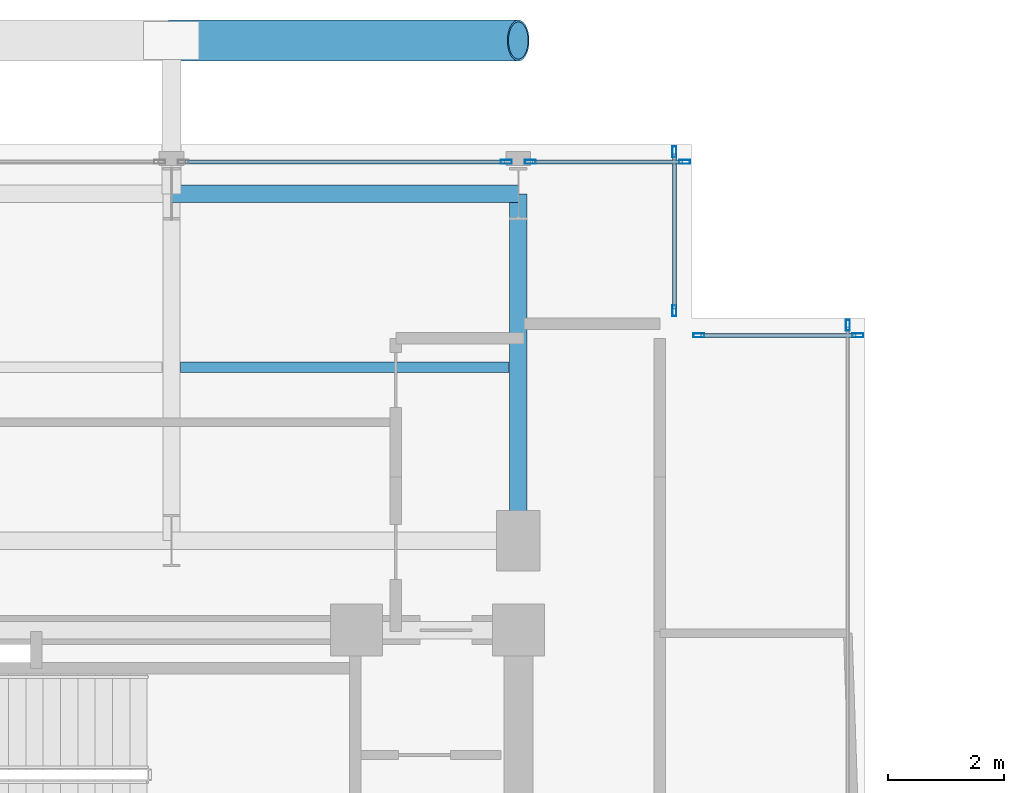
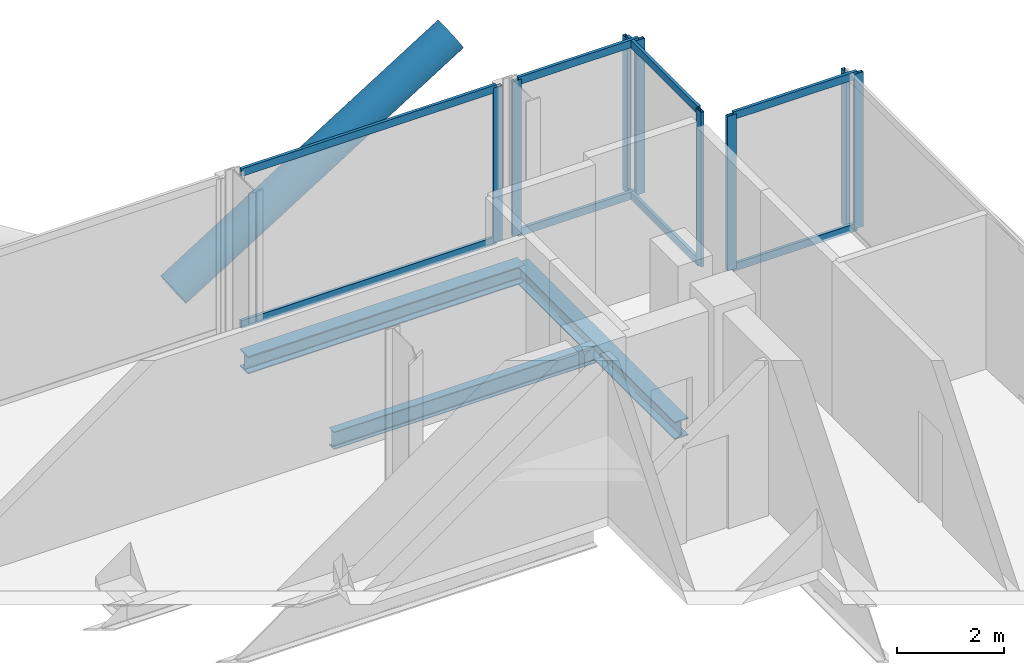
# One storey, part 14 of 21: 17 members, 3 beams, 5 elements without a shape of their own.
"""IFC4 building model written with IfcOpenShell, lengths in metres."""

from ifc_helpers import new_model, si_unit, direction, frame, origin, origin_2d, place, context, subcontext, project, spatial, hollow_rectangle, hollow_circle, i_section, extrude, material, layer, layer_set, material_profile, profile_set, type_object, element, aggregate, save


model = new_model("IFC4")

# Units and contexts
model_context = context("Model", 3, precision=1e-05, world=origin(), true_north=direction((0.0, 1.0)))
body_context = subcontext(model_context, "Body", "Model", "MODEL_VIEW")
ifc_project = project(units=[si_unit("LENGTHUNIT", "METRE"), si_unit("AREAUNIT", "SQUARE_METRE"), si_unit("VOLUMEUNIT", "CUBIC_METRE"), si_unit("PLANEANGLEUNIT", "RADIAN"), si_unit("MASSUNIT", "GRAM", prefix="KILO"), si_unit("THERMODYNAMICTEMPERATUREUNIT", "KELVIN"), si_unit("POWERUNIT", "WATT")], contexts=[model_context])

# Site, building, storey
site_placement = place(None, origin())
site = spatial("IfcSite", under=ifc_project, at=site_placement, CompositionType="ELEMENT")
building_placement = place(site_placement, origin())
building = spatial("IfcBuilding", under=site, at=building_placement, Name="Svarakhadi Broadcast Tower", CompositionType="ELEMENT")
storey_placement = place(building_placement, frame((0.0, 0.0, 223.64990234375)))
storey = spatial("IfcBuildingStorey", under=building, at=storey_placement, Name="L55", CompositionType="ELEMENT", Elevation=223.64990234375)

# Beam
ifc_material_1 = material(Name="Steel S355J2 (IS 2062 E350C)", Category="steel")
ifc_material_profile_1 = material_profile(ifc_material_1, i_section(OverallWidth=0.179931640625, OverallDepth=0.39990234375, WebThickness=0.008544921875, FlangeThickness=0.013427734375, FilletRadius=0.02099609375, at=origin_2d()), Name="NPB 400x180x66")
ifc_profile_set_1 = profile_set([ifc_material_profile_1], Name="Steel S355J2 (IS 2062 E350C)")
beam_type_1 = type_object("IfcBeamType", Name="Beam_NPB400", PredefinedType="BEAM", material=ifc_profile_set_1)
beam_placement = place(storey_placement, frame((12.159912109375, 32.14990234375, -0.409912109375), z_axis=(1.0, 0.0, 0.0), x_axis=(0.0, 1.0, 0.0)))
element("IfcBeam", 1, at=beam_placement, inside=storey, type_object=beam_type_1, Name="L55 Secondary Composite Beam SB012", PredefinedType="BEAM", context=body_context, shape_type="SweptSolid", body=[
    extrude(i_section(OverallWidth=0.179931640625, OverallDepth=0.39990234375, WebThickness=0.008544921875, FlangeThickness=0.013427734375, FilletRadius=0.02099609375, at=origin_2d()), origin(), (0.0, 0.0, 1.0), 5.68017578125),
])

# Curtain wall, member
ifc_material_2 = material(Name="Anodised Bronze Aluminium AA 6063-T6", Category="aluminium")
ifc_layer = layer(ifc_material_2, 0.18994140625)
ifc_layer_set = layer_set([ifc_layer], Name="Anodised Bronze Aluminium AA 6063-T6")
curtain_wall_type = type_object("IfcCurtainWallType", Name="CW_Sys_04", PredefinedType="NOTDEFINED", material=ifc_layer_set)
curtain_wall_1_placement = place(storey_placement, origin())
curtain_wall_1 = element("IfcCurtainWall", 2, at=curtain_wall_1_placement, inside=storey, type_object=curtain_wall_type, Name="L55 Unitised Facade Curtain Wall 06 Bay 2", PredefinedType="NOTDEFINED")
ifc_material_profile_2 = material_profile(ifc_material_2, hollow_rectangle(XDim=0.070068359375, YDim=0.18994140625, WallThickness=0.005615234375, at=origin_2d()), Name="ALU MULLION 190x70x6")
ifc_profile_set_2 = profile_set([ifc_material_profile_2], Name="Anodised Bronze Aluminium AA 6063-T6")
member_type_1 = type_object("IfcMemberType", Name="CW_Sys_04_Mul", PredefinedType="MULLION", material=ifc_profile_set_2)
member_1_placement = place(storey_placement, frame((17.794921875, 35.699951171875, 0.0), z_axis=(0.0, 0.0, 1.0), x_axis=(0.0, 1.0, 0.0)))
member_1 = element("IfcMember", 3, at=member_1_placement, type_object=member_type_1, Name="CW-04 mullion 2", PredefinedType="MULLION", context=body_context, shape_type="SweptSolid", body=[
    extrude(hollow_rectangle(XDim=0.070068359375, YDim=0.18994140625, WallThickness=0.005615234375, at=origin_2d()), origin(), (0.0, 0.0, 1.0), 3.5400390625),
])

# Curtain wall, members
curtain_wall_2_placement = place(storey_placement, origin())
curtain_wall_2 = element("IfcCurtainWall", 4, at=curtain_wall_2_placement, inside=storey, type_object=curtain_wall_type, Name="L55 Unitised Facade Curtain Wall 06 Bay 3", PredefinedType="NOTDEFINED")
member_2_placement = place(storey_placement, frame((18.205078125, 35.699951171875, 0.0), z_axis=(0.0, 0.0, 1.0), x_axis=(0.0, 1.0, 0.0)))
member_2 = element("IfcMember", 5, at=member_2_placement, type_object=member_type_1, Name="CW-04 mullion 1", PredefinedType="MULLION", context=body_context, shape_type="SweptSolid", body=[
    extrude(hollow_rectangle(XDim=0.070068359375, YDim=0.18994140625, WallThickness=0.005615234375, at=origin_2d()), origin(), (0.0, 0.0, 1.0), 3.5400390625),
])
member_3_placement = place(storey_placement, frame((20.875, 35.699951171875, 0.0), z_axis=(0.0, 0.0, 1.0), x_axis=(0.0, 1.0, 0.0)))
member_3 = element("IfcMember", 6, at=member_3_placement, type_object=member_type_1, Name="CW-04 mullion 2", PredefinedType="MULLION", context=body_context, shape_type="SweptSolid", body=[
    extrude(hollow_rectangle(XDim=0.070068359375, YDim=0.18994140625, WallThickness=0.005615234375, at=origin_2d()), origin(), (0.0, 0.0, 1.0), 3.5400390625),
])

curtain_wall_3_placement = place(storey_placement, origin())
curtain_wall_3 = element("IfcCurtainWall", 7, at=curtain_wall_3_placement, inside=storey, type_object=curtain_wall_type, Name="L55 Unitised Facade Curtain Wall 07", PredefinedType="NOTDEFINED")
member_4_placement = place(storey_placement, frame((20.699951171875, 35.875, 0.0), z_axis=(0.0, 0.0, 1.0), x_axis=(1.0, 0.0, 0.0)))
member_4 = element("IfcMember", 8, at=member_4_placement, type_object=member_type_1, Name="CW-04 mullion 1", PredefinedType="MULLION", context=body_context, shape_type="SweptSolid", body=[
    extrude(hollow_rectangle(XDim=0.070068359375, YDim=0.18994140625, WallThickness=0.005615234375, at=origin_2d()), origin(), (0.0, 0.0, 1.0), 3.5400390625),
])
member_5_placement = place(storey_placement, frame((20.699951171875, 33.125, 0.0), z_axis=(0.0, 0.0, 1.0), x_axis=(1.0, 0.0, 0.0)))
member_5 = element("IfcMember", 9, at=member_5_placement, type_object=member_type_1, Name="CW-04 mullion 2", PredefinedType="MULLION", context=body_context, shape_type="SweptSolid", body=[
    extrude(hollow_rectangle(XDim=0.070068359375, YDim=0.18994140625, WallThickness=0.005615234375, at=origin_2d()), origin(), (0.0, 0.0, 1.0), 3.5400390625),
])

curtain_wall_4_placement = place(storey_placement, origin())
curtain_wall_4 = element("IfcCurtainWall", 10, at=curtain_wall_4_placement, inside=storey, type_object=curtain_wall_type, Name="L55 Unitised Facade Curtain Wall 08", PredefinedType="NOTDEFINED")
member_6_placement = place(storey_placement, frame((21.125, 32.699951171875, 0.0), z_axis=(0.0, 0.0, 1.0), x_axis=(0.0, 1.0, 0.0)))
member_6 = element("IfcMember", 11, at=member_6_placement, type_object=member_type_1, Name="CW-04 mullion 1", PredefinedType="MULLION", context=body_context, shape_type="SweptSolid", body=[
    extrude(hollow_rectangle(XDim=0.070068359375, YDim=0.18994140625, WallThickness=0.005615234375, at=origin_2d()), origin(), (0.0, 0.0, 1.0), 3.5400390625),
])
member_7_placement = place(storey_placement, frame((23.875, 32.699951171875, 0.0), z_axis=(0.0, 0.0, 1.0), x_axis=(0.0, 1.0, 0.0)))
member_7 = element("IfcMember", 12, at=member_7_placement, type_object=member_type_1, Name="CW-04 mullion 2", PredefinedType="MULLION", context=body_context, shape_type="SweptSolid", body=[
    extrude(hollow_rectangle(XDim=0.070068359375, YDim=0.18994140625, WallThickness=0.005615234375, at=origin_2d()), origin(), (0.0, 0.0, 1.0), 3.5400390625),
])

# Curtain wall, member
curtain_wall_5_placement = place(storey_placement, origin())
curtain_wall_5 = element("IfcCurtainWall", 13, at=curtain_wall_5_placement, inside=storey, type_object=curtain_wall_type, Name="L55 Unitised Facade Curtain Wall 09", PredefinedType="NOTDEFINED")
member_8_placement = place(storey_placement, frame((23.699951171875, 32.875, 0.0), z_axis=(0.0, 0.0, 1.0), x_axis=(1.0, 0.0, 0.0)))
member_8 = element("IfcMember", 14, at=member_8_placement, type_object=member_type_1, Name="CW-04 mullion 1", PredefinedType="MULLION", context=body_context, shape_type="SweptSolid", body=[
    extrude(hollow_rectangle(XDim=0.070068359375, YDim=0.18994140625, WallThickness=0.005615234375, at=origin_2d()), origin(), (0.0, 0.0, 1.0), 3.5400390625),
])
aggregate(curtain_wall_5, [member_8])

# Member
ifc_material_profile_3 = material_profile(ifc_material_2, hollow_rectangle(XDim=0.06494140625, YDim=0.175048828125, WallThickness=0.0048828125, at=origin_2d()), Name="ALU TRANSOM 175x65x5")
ifc_profile_set_3 = profile_set([ifc_material_profile_3], Name="Anodised Bronze Aluminium AA 6063-T6")
member_type_2 = type_object("IfcMemberType", Name="CW_Sys_04_Trn", PredefinedType="USERDEFINED", material=ifc_profile_set_3)
member_9_placement = place(storey_placement, frame((12.239990234375, 35.699951171875, 0.03271484375), z_axis=(1.0, 0.0, 0.0), x_axis=(0.0, 1.0, 0.0)))
member_9 = element("IfcMember", 15, at=member_9_placement, type_object=member_type_2, Name="CW-04 transom 1.1", ObjectType="TRANSOM", PredefinedType="USERDEFINED", context=body_context, shape_type="SweptSolid", body=[
    extrude(hollow_rectangle(XDim=0.06494140625, YDim=0.175048828125, WallThickness=0.0048828125, at=origin_2d()), origin(), (0.0, 0.0, 1.0), 5.52001953125),
])

member_10_placement = place(storey_placement, frame((12.239990234375, 35.699951171875, 3.507568359375), z_axis=(1.0, 0.0, 0.0), x_axis=(0.0, 1.0, 0.0)))
member_10 = element("IfcMember", 16, at=member_10_placement, type_object=member_type_2, Name="CW-04 transom 1.2", ObjectType="TRANSOM", PredefinedType="USERDEFINED", context=body_context, shape_type="SweptSolid", body=[
    extrude(hollow_rectangle(XDim=0.06494140625, YDim=0.175048828125, WallThickness=0.0048828125, at=origin_2d()), origin(), (0.0, 0.0, 1.0), 5.52001953125),
])

aggregate(curtain_wall_1, [member_1, member_9, member_10])

member_11_placement = place(storey_placement, frame((18.239990234375, 35.699951171875, 0.03271484375), z_axis=(1.0, 0.0, 0.0), x_axis=(0.0, 1.0, 0.0)))
member_11 = element("IfcMember", 17, at=member_11_placement, type_object=member_type_2, Name="CW-04 transom 1.1", ObjectType="TRANSOM", PredefinedType="USERDEFINED", context=body_context, shape_type="SweptSolid", body=[
    extrude(hollow_rectangle(XDim=0.06494140625, YDim=0.175048828125, WallThickness=0.0048828125, at=origin_2d()), origin(), (0.0, 0.0, 1.0), 2.60009765625),
])

member_12_placement = place(storey_placement, frame((18.239990234375, 35.699951171875, 3.507568359375), z_axis=(1.0, 0.0, 0.0), x_axis=(0.0, 1.0, 0.0)))
member_12 = element("IfcMember", 18, at=member_12_placement, type_object=member_type_2, Name="CW-04 transom 1.2", ObjectType="TRANSOM", PredefinedType="USERDEFINED", context=body_context, shape_type="SweptSolid", body=[
    extrude(hollow_rectangle(XDim=0.06494140625, YDim=0.175048828125, WallThickness=0.0048828125, at=origin_2d()), origin(), (0.0, 0.0, 1.0), 2.60009765625),
])

aggregate(curtain_wall_2, [member_2, member_3, member_11, member_12])

member_13_placement = place(storey_placement, frame((20.699951171875, 35.840087890625, 0.03271484375), z_axis=(0.0, -1.0, 0.0), x_axis=(1.0, 0.0, 0.0)))
member_13 = element("IfcMember", 19, at=member_13_placement, type_object=member_type_2, Name="CW-04 transom 1.1", ObjectType="TRANSOM", PredefinedType="USERDEFINED", context=body_context, shape_type="SweptSolid", body=[
    extrude(hollow_rectangle(XDim=0.06494140625, YDim=0.175048828125, WallThickness=0.0048828125, at=origin_2d()), origin(), (0.0, 0.0, 1.0), 2.68017578125),
])

member_14_placement = place(storey_placement, frame((20.699951171875, 35.840087890625, 3.507568359375), z_axis=(0.0, -1.0, 0.0), x_axis=(1.0, 0.0, 0.0)))
member_14 = element("IfcMember", 20, at=member_14_placement, type_object=member_type_2, Name="CW-04 transom 1.2", ObjectType="TRANSOM", PredefinedType="USERDEFINED", context=body_context, shape_type="SweptSolid", body=[
    extrude(hollow_rectangle(XDim=0.06494140625, YDim=0.175048828125, WallThickness=0.0048828125, at=origin_2d()), origin(), (0.0, 0.0, 1.0), 2.68017578125),
])

aggregate(curtain_wall_3, [member_4, member_5, member_13, member_14])

member_15_placement = place(storey_placement, frame((21.159912109375, 32.699951171875, 0.03271484375), z_axis=(1.0, 0.0, 0.0), x_axis=(0.0, 1.0, 0.0)))
member_15 = element("IfcMember", 21, at=member_15_placement, type_object=member_type_2, Name="CW-04 transom 1.1", ObjectType="TRANSOM", PredefinedType="USERDEFINED", context=body_context, shape_type="SweptSolid", body=[
    extrude(hollow_rectangle(XDim=0.06494140625, YDim=0.175048828125, WallThickness=0.0048828125, at=origin_2d()), origin(), (0.0, 0.0, 1.0), 2.68017578125),
])

member_16_placement = place(storey_placement, frame((21.159912109375, 32.699951171875, 3.507568359375), z_axis=(1.0, 0.0, 0.0), x_axis=(0.0, 1.0, 0.0)))
member_16 = element("IfcMember", 22, at=member_16_placement, type_object=member_type_2, Name="CW-04 transom 1.2", ObjectType="TRANSOM", PredefinedType="USERDEFINED", context=body_context, shape_type="SweptSolid", body=[
    extrude(hollow_rectangle(XDim=0.06494140625, YDim=0.175048828125, WallThickness=0.0048828125, at=origin_2d()), origin(), (0.0, 0.0, 1.0), 2.68017578125),
])

aggregate(curtain_wall_4, [member_6, member_7, member_15, member_16])

ifc_material_3 = material(Name="Steel S460ML (IS 2062 E450BR)", Category="steel")
ifc_material_profile_4 = material_profile(ifc_material_3, hollow_circle(Radius=0.35546875, WallThickness=0.034912109375, at=origin_2d()), Name="CHS 711x35")
ifc_profile_set_4 = profile_set([ifc_material_profile_4], Name="Steel S460ML (IS 2062 E450BR)")
member_type_3 = type_object("IfcMemberType", Name="Exo_Brace_CHS711", PredefinedType="BRACE", material=ifc_profile_set_4)
member_17_placement = place(storey_placement, frame((12.0, 37.800048828125, -0.371826171875), z_axis=(0.847998304005, 0.0, 0.529998940003), x_axis=(0.0, 1.0, 0.0)))
element("IfcMember", 23, at=member_17_placement, inside=storey, type_object=member_type_3, Name="L55 Exposed Bronze Exoskeleton Diagonal N07", PredefinedType="BRACE", context=body_context, shape_type="SweptSolid", body=[
    extrude(hollow_circle(Radius=0.35546875, WallThickness=0.034912109375, at=origin_2d()), origin(), (0.0, 0.0, 1.0), 7.075439453125),
])

# Beams
ifc_material_profile_5 = material_profile(ifc_material_1, i_section(OverallWidth=0.300048828125, OverallDepth=0.39990234375, WebThickness=0.013427734375, FlangeThickness=0.02392578125, FilletRadius=0.027099609375, at=origin_2d()), Name="WPB 400x300x155")
ifc_profile_set_5 = profile_set([ifc_material_profile_5], Name="Steel S355J2 (IS 2062 E350C)")
beam_type_2 = type_object("IfcBeamType", Name="Girder_WPB400", PredefinedType="USERDEFINED", material=ifc_profile_set_5)
for number, where, z_axis, x_axis, name in (
    (24, (12.0, 35.14990234375, -0.409912109375), (1.0, 0.0, 0.0), (0.0, 1.0, 0.0), "L55 Primary E-W Girder G032"),
    (25, (18.0, 29.14990234375, -0.409912109375), (0.0, 1.0, 0.0), (-1.0, 0.0, 0.0), "L55 Primary N-S Girder G050"),
):
    element("IfcBeam", number, at=place(storey_placement, frame(where, z_axis=z_axis, x_axis=x_axis)), inside=storey, type_object=beam_type_2, Name=name, ObjectType="GIRDER", PredefinedType="USERDEFINED", context=body_context, shape_type="SweptSolid", body=[
        extrude(i_section(OverallWidth=0.300048828125, OverallDepth=0.39990234375, WebThickness=0.013427734375, FlangeThickness=0.02392578125, FilletRadius=0.027099609375, at=origin_2d()), origin(), (0.0, 0.0, 1.0), 6.0),
    ])

save(model, "model.ifc")
